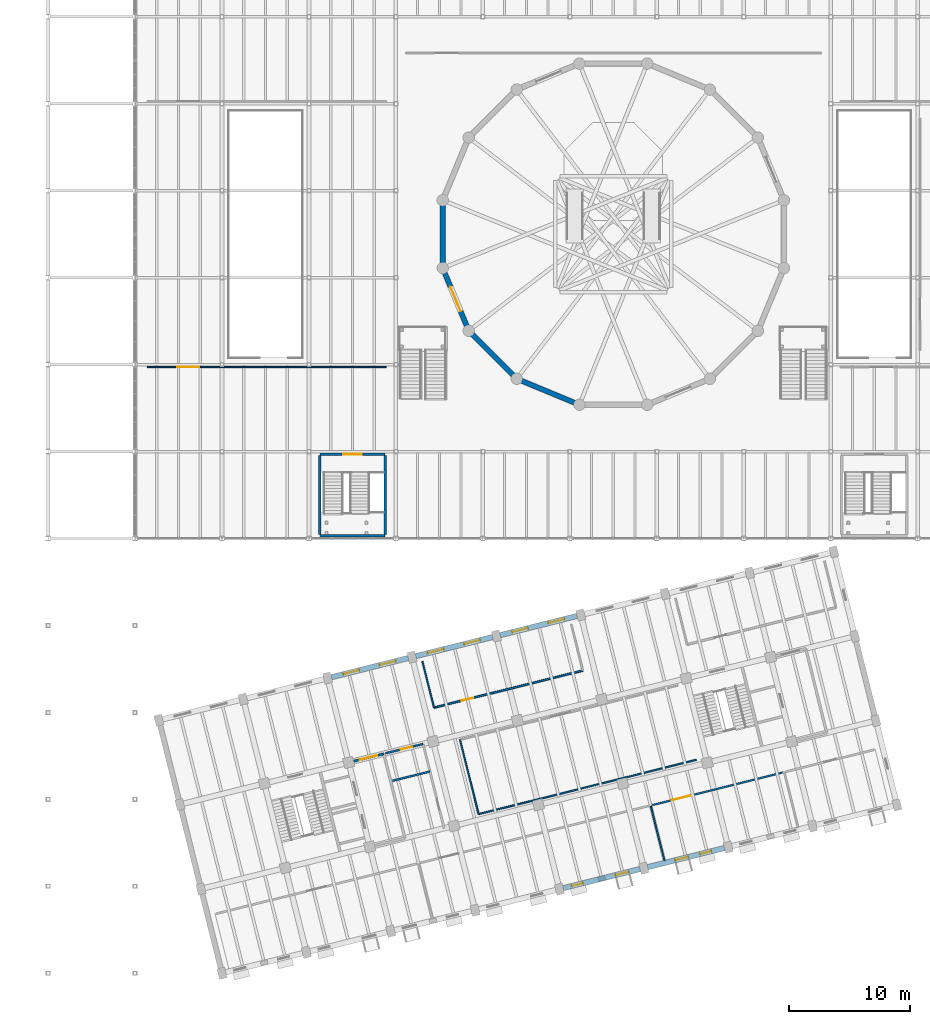
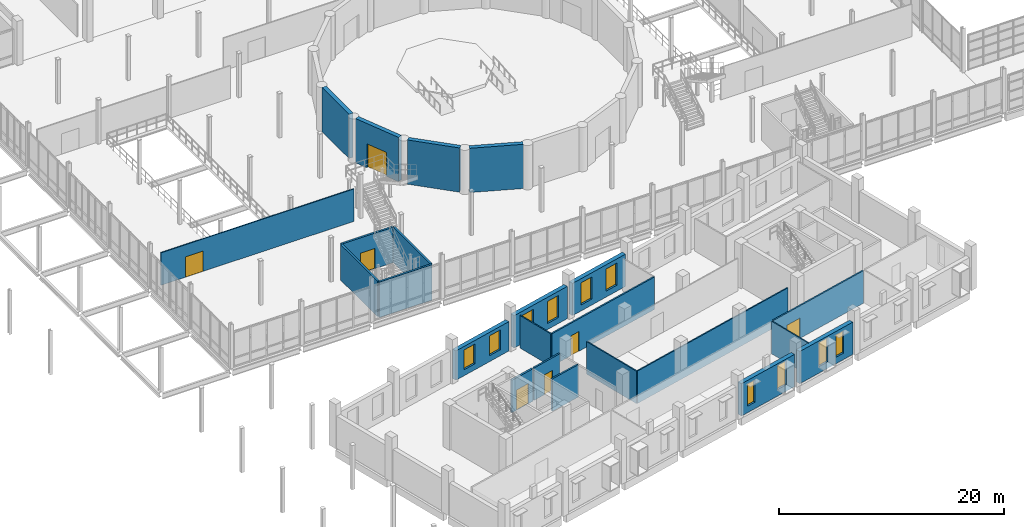
# One storey, part 62 of 77: 23 walls, 10 windows, 7 doors, 17 openings.
"""IFC4 building model written with IfcOpenShell, lengths in metres."""

from ifc_helpers import new_model, si_unit, direction, frame, frame_2d, origin, place, context, subcontext, project, spatial, rectangle, extrude, material, layer, layer_set, type_object, element, fill, save


model = new_model("IFC4")

# Units and contexts
model_context = context("Model", 3, precision=1e-05, world=origin(), true_north=direction((0.0, 1.0)))
body_context = subcontext(model_context, "Body", "Model", "MODEL_VIEW")
ifc_project = project(units=[si_unit("LENGTHUNIT", "METRE"), si_unit("AREAUNIT", "SQUARE_METRE"), si_unit("VOLUMEUNIT", "CUBIC_METRE"), si_unit("PLANEANGLEUNIT", "RADIAN"), si_unit("MASSUNIT", "GRAM", prefix="KILO")], contexts=[model_context])

# Site, building, storey
site_placement = place(None, origin())
site = spatial("IfcSite", under=ifc_project, at=site_placement, CompositionType="ELEMENT")
building_placement = place(site_placement, origin())
building = spatial("IfcBuilding", under=site, at=building_placement, Name="Qiaolan Assembly House", CompositionType="ELEMENT")
storey_placement = place(building_placement, frame((0.0, 0.0, 5.39990234375)))
storey = spatial("IfcBuildingStorey", under=building, at=storey_placement, Name="L01", CompositionType="ELEMENT", Elevation=5.39990234375)

# Wall
ifc_material_1 = material(Name="Concrete C50/60", Category="concrete")
ifc_layer_1 = layer(ifc_material_1, 0.419921875)
ifc_layer_set_1 = layer_set([ifc_layer_1], Name="Concrete C50/60")
wall_type_1 = type_object("IfcWallType", Name="WAL-DRUM-420", PredefinedType="SHEAR", material=ifc_layer_set_1)
wall_1_placement = place(storey_placement, frame((54.276611328125, 58.790771484375, 0.0), z_axis=(0.0, 0.0, 1.0), x_axis=(0.0, 1.0, 0.0)))
element("IfcWall", 1, at=wall_1_placement, inside=storey, type_object=wall_type_1, Name="DW-420 council chamber drum wall 8 L01", PredefinedType="SHEAR", context=body_context, shape_type="SweptSolid", body=[
    extrude(rectangle(XDim=4.818603515625, YDim=0.419921875, at=frame_2d((2.4091796875, 0.0))), origin(), (0.0, 0.0, 1.0), 4.800048828125),
])

# Wall, opening, door
wall_2_placement = place(storey_placement, frame((56.273681640625, 53.5693359375, 0.0), z_axis=(0.0, 0.0, 1.0), x_axis=(-0.382675461762, 0.923882834003, 0.0)))
wall_2 = element("IfcWall", 2, at=wall_2_placement, inside=storey, type_object=wall_type_1, Name="DW-420 council chamber drum wall 9 L01", PredefinedType="SHEAR", context=body_context, shape_type="SweptSolid", body=[
    extrude(rectangle(XDim=4.818603515625, YDim=0.419921875, at=frame_2d((2.4091796875, 0.0))), origin(), (0.0, 0.0, 1.0), 4.800048828125),
])
opening_1_placement = place(wall_2_placement, frame((1.35009765625, 0.0, 0.0)))
opening_1 = element("IfcOpeningElement", 3, at=opening_1_placement, cuts=wall_2, Name="Opening CD-149", PredefinedType="OPENING", context=body_context, shape_type="SweptSolid", body=[
    extrude(rectangle(XDim=2.199951171875, YDim=2.60009765625, at=frame_2d((1.10009765625, 1.300048828125))), frame((0.0, 0.219970703125, 0.0), z_axis=(0.0, -1.0, 0.0), x_axis=(1.0, 0.0, 0.0)), (0.0, 0.0, 1.0), 0.43994140625),
])
ifc_material_2 = material(Name="Acoustic oak panelling")
door_type_1 = type_object("IfcDoorType", Name="DOR-CHAMBER-2200", OperationType="DOUBLE_DOOR_SINGLE_SWING", PredefinedType="DOOR", material=ifc_material_2)
door_1_placement = place(opening_1_placement, origin())
door_1 = element("IfcDoor", 4, at=door_1_placement, inside=storey, type_object=door_type_1, Name="Council Chamber ceremonial acoustic door CD-149", OperationType="DOUBLE_DOOR_SINGLE_SWING", OverallHeight=2.60009765625, OverallWidth=2.199951171875, PredefinedType="DOOR", context=body_context, shape_type="SweptSolid", body=[
    extrude(rectangle(XDim=2.199951171875, YDim=2.60009765625, at=frame_2d((1.10009765625, 1.300048828125))), frame((0.0, 0.02490234375, 0.0), z_axis=(0.0, -1.0, 0.0), x_axis=(1.0, 0.0, 0.0)), (0.0, 0.0, 1.0), 0.050048828125),
])
fill(opening_1, door_1)

# Walls
for number, where, z_axis, x_axis, name in (
    (5, (60.116943359375, 49.509765625, 0.0), (0.0, 0.0, 1.0), (-0.707106781187, 0.707106781187, 0.0), "DW-420 council chamber drum wall 10 L01"),
    (6, (65.22119140625, 47.229736328125, 0.0), (0.0, 0.0, 1.0), (-0.923882834003, 0.382675461762, 0.0), "DW-420 council chamber drum wall 11 L01"),
):
    element("IfcWall", number, at=place(storey_placement, frame(where, z_axis=z_axis, x_axis=x_axis)), inside=storey, type_object=wall_type_1, Name=name, PredefinedType="SHEAR", context=body_context, shape_type="SweptSolid", body=[
        extrude(rectangle(XDim=4.818603515625, YDim=0.419921875, at=frame_2d((2.4091796875, 0.0))), origin(), (0.0, 0.0, 1.0), 4.800048828125),
    ])

# Wall, openings, windows
ifc_material_3 = material(Name="Honed pale limestone", Category="masonry")
ifc_layer_2 = layer(ifc_material_3, 0.43505859375)
ifc_layer_set_2 = layer_set([ifc_layer_2], Name="Honed pale limestone")
wall_type_2 = type_object("IfcWallType", Name="WAL-EXT-RUSTIC-420", PredefinedType="SOLIDWALL", material=ifc_layer_set_2)
wall_3_placement = place(storey_placement, frame((64.2578125, 7.04541015625, 0.0), z_axis=(0.0, 0.0, 1.0), x_axis=(0.970291317579, 0.24193957723, 0.0)))
wall_3 = element("IfcWall", 7, at=wall_3_placement, inside=storey, type_object=wall_type_2, Name="EW-420 SE South boulevard wall L01 bay 5", PredefinedType="SOLIDWALL", context=body_context, shape_type="SweptSolid", body=[
    extrude(rectangle(XDim=6.55419921875, YDim=0.43505859375, at=frame_2d((3.277099609375, 0.0))), origin(), (0.0, 0.0, 1.0), 3.5),
])
opening_2_placement = place(wall_3_placement, frame((0.72705078125, 0.0, 0.699951171875)))
opening_2 = element("IfcOpeningElement", 8, at=opening_2_placement, cuts=wall_3, Name="Opening WN-254", PredefinedType="OPENING", context=body_context, shape_type="SweptSolid", body=[
    extrude(rectangle(XDim=0.949951171875, YDim=2.39990234375, at=frame_2d((0.47509765625, 1.199951171875))), frame((0.0, 0.2275390625, 0.0), z_axis=(0.0, -1.0, 0.0), x_axis=(1.0, 0.0, 0.0)), (0.0, 0.0, 1.0), 0.455078125),
])
opening_3_placement = place(wall_3_placement, frame((4.47705078125, 0.0, 0.699951171875)))
opening_3 = element("IfcOpeningElement", 9, at=opening_3_placement, cuts=wall_3, Name="Opening WN-255", PredefinedType="OPENING", context=body_context, shape_type="SweptSolid", body=[
    extrude(rectangle(XDim=1.10009765625, YDim=2.60009765625, at=frame_2d((0.550048828125, 1.300048828125))), frame((0.0, 0.2275390625, 0.0), z_axis=(0.0, -1.0, 0.0), x_axis=(1.0, 0.0, 0.0)), (0.0, 0.0, 1.0), 0.455078125),
])
ifc_material_4 = material(Name="Low-E double insulating glass", Category="glass")
window_type_1 = type_object("IfcWindowType", Name="WIN-BOX-1100x2600", PartitioningType="SINGLE_PANEL", PredefinedType="WINDOW", material=ifc_material_4)
window_1_placement = place(opening_3_placement, origin())
window_1 = element("IfcWindow", 10, at=window_1_placement, inside=storey, type_object=window_type_1, Name="WN-T02 splayed window WN-255", OverallHeight=2.60009765625, OverallWidth=1.10009765625, PartitioningType="SINGLE_PANEL", PredefinedType="WINDOW", context=body_context, shape_type="SweptSolid", body=[
    extrude(rectangle(XDim=1.10009765625, YDim=2.60009765625, at=frame_2d((0.550048828125, 1.300048828125))), frame((0.0, 0.030029296875, 0.0), z_axis=(0.0, -1.0, 0.0), x_axis=(1.0, 0.0, 0.0)), (0.0, 0.0, 1.0), 0.06005859375),
])
fill(opening_3, window_1)
window_type_2 = type_object("IfcWindowType", Name="WIN-PUNCH-950x2400", PartitioningType="SINGLE_PANEL", PredefinedType="WINDOW", material=ifc_material_4)
window_2_placement = place(opening_2_placement, origin())
window_2 = element("IfcWindow", 11, at=window_2_placement, inside=storey, type_object=window_type_2, Name="WN-T06 splayed window WN-254", OverallHeight=2.39990234375, OverallWidth=0.949951171875, PartitioningType="SINGLE_PANEL", PredefinedType="WINDOW", context=body_context, shape_type="SweptSolid", body=[
    extrude(rectangle(XDim=0.949951171875, YDim=2.39990234375, at=frame_2d((0.47509765625, 1.199951171875))), frame((0.0, 0.030029296875, 0.0), z_axis=(0.0, -1.0, 0.0), x_axis=(1.0, 0.0, 0.0)), (0.0, 0.0, 1.0), 0.06005859375),
])
fill(opening_2, window_2)

wall_4_placement = place(storey_placement, frame((71.244140625, 8.787353515625, 0.0), z_axis=(0.0, 0.0, 1.0), x_axis=(0.970297881629, 0.241913250789, 0.0)))
wall_4 = element("IfcWall", 12, at=wall_4_placement, inside=storey, type_object=wall_type_2, Name="EW-420 SE South boulevard wall L01 bay 6", PredefinedType="SOLIDWALL", context=body_context, shape_type="SweptSolid", body=[
    extrude(rectangle(XDim=6.5537109375, YDim=0.43505859375, at=frame_2d((3.27685546875, 0.0))), origin(), (0.0, 0.0, 1.0), 3.5),
])
opening_4_placement = place(wall_4_placement, frame((2.362060546875, 0.0, 0.699951171875)))
opening_4 = element("IfcOpeningElement", 13, at=opening_4_placement, cuts=wall_4, Name="Opening WN-256", PredefinedType="OPENING", context=body_context, shape_type="SweptSolid", body=[
    extrude(rectangle(XDim=1.10009765625, YDim=2.60009765625, at=frame_2d((0.550048828125, 1.300048828125))), frame((0.0, 0.2275390625, 0.0), z_axis=(0.0, -1.0, 0.0), x_axis=(1.0, 0.0, 0.0)), (0.0, 0.0, 1.0), 0.455078125),
])
opening_5_placement = place(wall_4_placement, frame((4.47705078125, 0.0, 0.699951171875)))
opening_5 = element("IfcOpeningElement", 14, at=opening_5_placement, cuts=wall_4, Name="Opening WN-257", PredefinedType="OPENING", context=body_context, shape_type="SweptSolid", body=[
    extrude(rectangle(XDim=0.949951171875, YDim=2.39990234375, at=frame_2d((0.47509765625, 1.199951171875))), frame((0.0, 0.2275390625, 0.0), z_axis=(0.0, -1.0, 0.0), x_axis=(1.0, 0.0, 0.0)), (0.0, 0.0, 1.0), 0.455078125),
])
window_3_placement = place(opening_4_placement, origin())
window_3 = element("IfcWindow", 15, at=window_3_placement, inside=storey, type_object=window_type_1, Name="WN-T02 splayed window WN-256", OverallHeight=2.60009765625, OverallWidth=1.10009765625, PartitioningType="SINGLE_PANEL", PredefinedType="WINDOW", context=body_context, shape_type="SweptSolid", body=[
    extrude(rectangle(XDim=1.10009765625, YDim=2.60009765625, at=frame_2d((0.550048828125, 1.300048828125))), frame((0.0, 0.030029296875, 0.0), z_axis=(0.0, -1.0, 0.0), x_axis=(1.0, 0.0, 0.0)), (0.0, 0.0, 1.0), 0.06005859375),
])
fill(opening_4, window_3)
window_4_placement = place(opening_5_placement, origin())
window_4 = element("IfcWindow", 16, at=window_4_placement, inside=storey, type_object=window_type_2, Name="WN-T06 splayed window WN-257", OverallHeight=2.39990234375, OverallWidth=0.949951171875, PartitioningType="SINGLE_PANEL", PredefinedType="WINDOW", context=body_context, shape_type="SweptSolid", body=[
    extrude(rectangle(XDim=0.949951171875, YDim=2.39990234375, at=frame_2d((0.47509765625, 1.199951171875))), frame((0.0, 0.030029296875, 0.0), z_axis=(0.0, -1.0, 0.0), x_axis=(1.0, 0.0, 0.0)), (0.0, 0.0, 1.0), 0.06005859375),
])
fill(opening_5, window_4)

wall_5_placement = place(storey_placement, frame((51.41943359375, 26.105712890625, 0.0), z_axis=(0.0, 0.0, 1.0), x_axis=(-0.970300061562, -0.241904507055, 0.0)))
wall_5 = element("IfcWall", 17, at=wall_5_placement, inside=storey, type_object=wall_type_2, Name="EW-420 SE North court wall L01 bay 3", PredefinedType="SOLIDWALL", context=body_context, shape_type="SweptSolid", body=[
    extrude(rectangle(XDim=6.553955078125, YDim=0.43505859375, at=frame_2d((3.27685546875, 0.0))), origin(), (0.0, 0.0, 1.0), 3.18017578125),
])
opening_6_placement = place(wall_5_placement, frame((1.076904296875, 0.0, 0.64990234375)))
opening_6 = element("IfcOpeningElement", 18, at=opening_6_placement, cuts=wall_5, Name="Opening WN-266", PredefinedType="OPENING", context=body_context, shape_type="SweptSolid", body=[
    extrude(rectangle(XDim=1.35009765625, YDim=2.14990234375, at=frame_2d((0.675048828125, 1.074951171875))), frame((0.0, 0.2275390625, 0.0), z_axis=(0.0, -1.0, 0.0), x_axis=(1.0, 0.0, 0.0)), (0.0, 0.0, 1.0), 0.455078125),
])
opening_7_placement = place(wall_5_placement, frame((4.177001953125, 0.0, 0.64990234375)))
opening_7 = element("IfcOpeningElement", 19, at=opening_7_placement, cuts=wall_5, Name="Opening WN-267", PredefinedType="OPENING", context=body_context, shape_type="SweptSolid", body=[
    extrude(rectangle(XDim=1.35009765625, YDim=2.14990234375, at=frame_2d((0.675048828125, 1.074951171875))), frame((0.0, 0.2275390625, 0.0), z_axis=(0.0, -1.0, 0.0), x_axis=(1.0, 0.0, 0.0)), (0.0, 0.0, 1.0), 0.455078125),
])
window_type_3 = type_object("IfcWindowType", Name="WIN-COURT-1350x2150", PartitioningType="DOUBLE_PANEL_VERTICAL", PredefinedType="WINDOW", material=ifc_material_4)
window_5_placement = place(opening_6_placement, origin())
window_5 = element("IfcWindow", 20, at=window_5_placement, inside=storey, type_object=window_type_3, Name="SE court window WN-266", OverallHeight=2.14990234375, OverallWidth=1.35009765625, PartitioningType="DOUBLE_PANEL_VERTICAL", PredefinedType="WINDOW", context=body_context, shape_type="SweptSolid", body=[
    extrude(rectangle(XDim=1.35009765625, YDim=2.14990234375, at=frame_2d((0.675048828125, 1.074951171875))), frame((0.0, 0.030029296875, 0.0), z_axis=(0.0, -1.0, 0.0), x_axis=(1.0, 0.0, 0.0)), (0.0, 0.0, 1.0), 0.06005859375),
])
fill(opening_6, window_5)
window_6_placement = place(opening_7_placement, origin())
window_6 = element("IfcWindow", 21, at=window_6_placement, inside=storey, type_object=window_type_3, Name="SE court window WN-267", OverallHeight=2.14990234375, OverallWidth=1.35009765625, PartitioningType="DOUBLE_PANEL_VERTICAL", PredefinedType="WINDOW", context=body_context, shape_type="SweptSolid", body=[
    extrude(rectangle(XDim=1.35009765625, YDim=2.14990234375, at=frame_2d((0.675048828125, 1.074951171875))), frame((0.0, 0.030029296875, 0.0), z_axis=(0.0, -1.0, 0.0), x_axis=(1.0, 0.0, 0.0)), (0.0, 0.0, 1.0), 0.06005859375),
])
fill(opening_7, window_6)

wall_6_placement = place(storey_placement, frame((58.405517578125, 27.84765625, 0.0), z_axis=(0.0, 0.0, 1.0), x_axis=(-0.970289137034, -0.241948322073, 0.0)))
wall_6 = element("IfcWall", 22, at=wall_6_placement, inside=storey, type_object=wall_type_2, Name="EW-420 SE North court wall L01 bay 4", PredefinedType="SOLIDWALL", context=body_context, shape_type="SweptSolid", body=[
    extrude(rectangle(XDim=6.553955078125, YDim=0.43505859375, at=frame_2d((3.27685546875, 0.0))), origin(), (0.0, 0.0, 1.0), 3.5),
])
opening_8_placement = place(wall_6_placement, frame((1.076904296875, 0.0, 0.64990234375)))
opening_8 = element("IfcOpeningElement", 23, at=opening_8_placement, cuts=wall_6, Name="Opening WN-268", PredefinedType="OPENING", context=body_context, shape_type="SweptSolid", body=[
    extrude(rectangle(XDim=1.35009765625, YDim=2.39990234375, at=frame_2d((0.675048828125, 1.199951171875))), frame((0.0, 0.2275390625, 0.0), z_axis=(0.0, -1.0, 0.0), x_axis=(1.0, 0.0, 0.0)), (0.0, 0.0, 1.0), 0.455078125),
])
opening_9_placement = place(wall_6_placement, frame((4.177001953125, 0.0, 0.64990234375)))
opening_9 = element("IfcOpeningElement", 24, at=opening_9_placement, cuts=wall_6, Name="Opening WN-269", PredefinedType="OPENING", context=body_context, shape_type="SweptSolid", body=[
    extrude(rectangle(XDim=1.35009765625, YDim=2.39990234375, at=frame_2d((0.675048828125, 1.199951171875))), frame((0.0, 0.2275390625, 0.0), z_axis=(0.0, -1.0, 0.0), x_axis=(1.0, 0.0, 0.0)), (0.0, 0.0, 1.0), 0.455078125),
])
window_type_4 = type_object("IfcWindowType", Name="WIN-COURT-1350x2400", PartitioningType="DOUBLE_PANEL_VERTICAL", PredefinedType="WINDOW", material=ifc_material_4)
window_7_placement = place(opening_8_placement, origin())
window_7 = element("IfcWindow", 25, at=window_7_placement, inside=storey, type_object=window_type_4, Name="SE court window WN-268", OverallHeight=2.39990234375, OverallWidth=1.35009765625, PartitioningType="DOUBLE_PANEL_VERTICAL", PredefinedType="WINDOW", context=body_context, shape_type="SweptSolid", body=[
    extrude(rectangle(XDim=1.35009765625, YDim=2.39990234375, at=frame_2d((0.675048828125, 1.199951171875))), frame((0.0, 0.030029296875, 0.0), z_axis=(0.0, -1.0, 0.0), x_axis=(1.0, 0.0, 0.0)), (0.0, 0.0, 1.0), 0.06005859375),
])
fill(opening_8, window_7)
window_8_placement = place(opening_9_placement, origin())
window_8 = element("IfcWindow", 26, at=window_8_placement, inside=storey, type_object=window_type_4, Name="SE court window WN-269", OverallHeight=2.39990234375, OverallWidth=1.35009765625, PartitioningType="DOUBLE_PANEL_VERTICAL", PredefinedType="WINDOW", context=body_context, shape_type="SweptSolid", body=[
    extrude(rectangle(XDim=1.35009765625, YDim=2.39990234375, at=frame_2d((0.675048828125, 1.199951171875))), frame((0.0, 0.030029296875, 0.0), z_axis=(0.0, -1.0, 0.0), x_axis=(1.0, 0.0, 0.0)), (0.0, 0.0, 1.0), 0.06005859375),
])
fill(opening_9, window_8)

wall_7_placement = place(storey_placement, frame((65.391845703125, 29.58935546875, 0.0), z_axis=(0.0, 0.0, 1.0), x_axis=(-0.970300061562, -0.241904507055, 0.0)))
wall_7 = element("IfcWall", 27, at=wall_7_placement, inside=storey, type_object=wall_type_2, Name="EW-420 SE North court wall L01 bay 5", PredefinedType="SOLIDWALL", context=body_context, shape_type="SweptSolid", body=[
    extrude(rectangle(XDim=6.553955078125, YDim=0.43505859375, at=frame_2d((3.27685546875, 0.0))), origin(), (0.0, 0.0, 1.0), 3.5),
])
opening_10_placement = place(wall_7_placement, frame((1.076904296875, 0.0, 0.64990234375)))
opening_10 = element("IfcOpeningElement", 28, at=opening_10_placement, cuts=wall_7, Name="Opening WN-270", PredefinedType="OPENING", context=body_context, shape_type="SweptSolid", body=[
    extrude(rectangle(XDim=1.35009765625, YDim=2.39990234375, at=frame_2d((0.675048828125, 1.199951171875))), frame((0.0, 0.2275390625, 0.0), z_axis=(0.0, -1.0, 0.0), x_axis=(1.0, 0.0, 0.0)), (0.0, 0.0, 1.0), 0.455078125),
])
opening_11_placement = place(wall_7_placement, frame((4.177001953125, 0.0, 0.64990234375)))
opening_11 = element("IfcOpeningElement", 29, at=opening_11_placement, cuts=wall_7, Name="Opening WN-271", PredefinedType="OPENING", context=body_context, shape_type="SweptSolid", body=[
    extrude(rectangle(XDim=1.35009765625, YDim=2.39990234375, at=frame_2d((0.675048828125, 1.199951171875))), frame((0.0, 0.2275390625, 0.0), z_axis=(0.0, -1.0, 0.0), x_axis=(1.0, 0.0, 0.0)), (0.0, 0.0, 1.0), 0.455078125),
])
window_9_placement = place(opening_10_placement, origin())
window_9 = element("IfcWindow", 30, at=window_9_placement, inside=storey, type_object=window_type_4, Name="SE court window WN-270", OverallHeight=2.39990234375, OverallWidth=1.35009765625, PartitioningType="DOUBLE_PANEL_VERTICAL", PredefinedType="WINDOW", context=body_context, shape_type="SweptSolid", body=[
    extrude(rectangle(XDim=1.35009765625, YDim=2.39990234375, at=frame_2d((0.675048828125, 1.199951171875))), frame((0.0, 0.030029296875, 0.0), z_axis=(0.0, -1.0, 0.0), x_axis=(1.0, 0.0, 0.0)), (0.0, 0.0, 1.0), 0.06005859375),
])
fill(opening_10, window_9)
window_10_placement = place(opening_11_placement, origin())
window_10 = element("IfcWindow", 31, at=window_10_placement, inside=storey, type_object=window_type_4, Name="SE court window WN-271", OverallHeight=2.39990234375, OverallWidth=1.35009765625, PartitioningType="DOUBLE_PANEL_VERTICAL", PredefinedType="WINDOW", context=body_context, shape_type="SweptSolid", body=[
    extrude(rectangle(XDim=1.35009765625, YDim=2.39990234375, at=frame_2d((0.675048828125, 1.199951171875))), frame((0.0, 0.030029296875, 0.0), z_axis=(0.0, -1.0, 0.0), x_axis=(1.0, 0.0, 0.0)), (0.0, 0.0, 1.0), 0.06005859375),
])
fill(opening_11, window_10)

# Wall, opening, door
ifc_material_5 = material(Name="Concrete C35/45", Category="concrete")
ifc_layer_3 = layer(ifc_material_5, 0.199951171875)
ifc_layer_set_3 = layer_set([ifc_layer_3], Name="Concrete C35/45")
wall_type_3 = type_object("IfcWallType", Name="WAL-LOBBY-200", PredefinedType="PARTITIONING", material=ifc_layer_set_3)
wall_8_placement = place(storey_placement, frame((44.10009765625, 42.97998046875, 0.0), z_axis=(0.0, 0.0, 1.0), x_axis=(1.0, 0.0, 0.0)))
wall_8 = element("IfcWall", 32, at=wall_8_placement, inside=storey, type_object=wall_type_3, Name="LW-200 foyer stairwell north wall F1 L01", PredefinedType="PARTITIONING", context=body_context, shape_type="SweptSolid", body=[
    extrude(rectangle(XDim=5.39990234375, YDim=0.199951171875, at=frame_2d((2.699951171875, 0.0))), origin(), (0.0, 0.0, 1.0), 3.85009765625),
])
opening_12_placement = place(wall_8_placement, frame((1.949951171875, 0.0, 0.0)))
opening_12 = element("IfcOpeningElement", 33, at=opening_12_placement, cuts=wall_8, Name="Opening FD-911", PredefinedType="OPENING", context=body_context, shape_type="SweptSolid", body=[
    extrude(rectangle(XDim=1.5, YDim=2.199951171875, at=frame_2d((0.75, 1.10009765625))), frame((0.0, 0.10986328125, 0.0), z_axis=(0.0, -1.0, 0.0), x_axis=(1.0, 0.0, 0.0)), (0.0, 0.0, 1.0), 0.219970703125),
])
door_type_2 = type_object("IfcDoorType", Name="DOR-LOBBY-FD60-1500", OperationType="DOUBLE_DOOR_SINGLE_SWING", PredefinedType="DOOR", material=ifc_material_2)
door_2_placement = place(opening_12_placement, origin())
door_2 = element("IfcDoor", 34, at=door_2_placement, inside=storey, type_object=door_type_2, Name="Foyer stairwell fire door FD-911", OperationType="DOUBLE_DOOR_SINGLE_SWING", OverallHeight=2.199951171875, OverallWidth=1.5, PredefinedType="DOOR", context=body_context, shape_type="SweptSolid", body=[
    extrude(rectangle(XDim=1.5, YDim=2.199951171875, at=frame_2d((0.75, 1.10009765625))), frame((0.0, 0.02490234375, 0.0), z_axis=(0.0, -1.0, 0.0), x_axis=(1.0, 0.0, 0.0)), (0.0, 0.0, 1.0), 0.050048828125),
])
fill(opening_12, door_2)

# Walls
wall_9_placement = place(storey_placement, frame((49.5, 36.219970703125, 0.0), z_axis=(0.0, 0.0, 1.0), x_axis=(-1.0, 0.0, 0.0)))
element("IfcWall", 35, at=wall_9_placement, inside=storey, type_object=wall_type_3, Name="LW-200 foyer stairwell south wall F1 L01", PredefinedType="PARTITIONING", context=body_context, shape_type="SweptSolid", body=[
    extrude(rectangle(XDim=5.39990234375, YDim=0.199951171875, at=frame_2d((2.699951171875, 0.0))), origin(), (0.0, 0.0, 1.0), 3.85009765625),
])
for number, where, z_axis, x_axis, name in (
    (36, (44.10009765625, 42.8798828125, 0.0), (0.0, 0.0, 1.0), (0.0, -1.0, 0.0), "LW-200 foyer stairwell west wall F1 L01"),
    (37, (49.5, 36.320068359375, 0.0), (0.0, 0.0, 1.0), (0.0, 1.0, 0.0), "LW-200 foyer stairwell east wall F1 L01"),
):
    element("IfcWall", number, at=place(storey_placement, frame(where, z_axis=z_axis, x_axis=x_axis)), inside=storey, type_object=wall_type_3, Name=name, PredefinedType="PARTITIONING", context=body_context, shape_type="SweptSolid", body=[
        extrude(rectangle(XDim=6.559814453125, YDim=0.199951171875, at=frame_2d((3.27978515625, 0.0))), origin(), (0.0, 0.0, 1.0), 3.85009765625),
    ])

# Wall, opening, door
wall_10_placement = place(storey_placement, frame((49.3994140625, 18.181640625, 0.0), z_axis=(0.0, 0.0, 1.0), x_axis=(-0.970309259708, -0.2418676095, 0.0)))
wall_10 = element("IfcWall", 38, at=wall_10_placement, inside=storey, type_object=wall_type_3, Name="Firefighting lift lobby north wall CORE-C L01", PredefinedType="PARTITIONING", context=body_context, shape_type="SweptSolid", body=[
    extrude(rectangle(XDim=2.580078125, YDim=0.199951171875, at=frame_2d((1.2900390625, 0.0))), origin(), (0.0, 0.0, 1.0), 3.52001953125),
])
opening_13_placement = place(wall_10_placement, frame((0.550048828125, 0.0, 0.0)))
opening_13 = element("IfcOpeningElement", 39, at=opening_13_placement, cuts=wall_10, Name="Opening FD-076", PredefinedType="OPENING", context=body_context, shape_type="SweptSolid", body=[
    extrude(rectangle(XDim=1.5, YDim=2.199951171875, at=frame_2d((0.75, 1.10009765625))), frame((0.0, 0.10986328125, 0.0), z_axis=(0.0, -1.0, 0.0), x_axis=(1.0, 0.0, 0.0)), (0.0, 0.0, 1.0), 0.219970703125),
])
door_3_placement = place(opening_13_placement, frame((1.5, 0.0, 0.0), z_axis=(0.0, 0.0, 1.0), x_axis=(-1.0, 0.0, 0.0)))
door_3 = element("IfcDoor", 40, at=door_3_placement, inside=storey, type_object=door_type_2, Name="Lobby corridor fire door FD-076", OperationType="DOUBLE_DOOR_SINGLE_SWING", OverallHeight=2.199951171875, OverallWidth=1.5, PredefinedType="DOOR", context=body_context, shape_type="SweptSolid", body=[
    extrude(rectangle(XDim=1.5, YDim=2.199951171875, at=frame_2d((0.75, 1.10009765625))), frame((0.0, 0.02490234375, 0.0), z_axis=(0.0, -1.0, 0.0), x_axis=(1.0, 0.0, 0.0)), (0.0, 0.0, 1.0), 0.050048828125),
])
fill(opening_13, door_3)

# Walls
ifc_material_6 = material(Name="Gypsum plasterboard partition")
ifc_layer_4 = layer(ifc_material_6, 0.1201171875)
ifc_layer_set_4 = layer_set([ifc_layer_4], Name="Gypsum plasterboard partition")
wall_type_4 = type_object("IfcWallType", Name="WAL-PART-120", PredefinedType="PARTITIONING", material=ifc_layer_set_4)
wall_11_placement = place(storey_placement, frame((72.633544921875, 9.3193359375, 0.0), z_axis=(0.0, 0.0, 1.0), x_axis=(-0.241895920765, 0.97030220216, 0.0)))
element("IfcWall", 41, at=wall_11_placement, inside=storey, type_object=wall_type_4, Name="Public Mediation & Hearing Room 1 demising wall", PredefinedType="PARTITIONING", context=body_context, shape_type="SweptSolid", body=[
    extrude(rectangle(XDim=4.669921875, YDim=0.1201171875, at=frame_2d((2.3349609375, 0.0))), origin(), (0.0, 0.0, 1.0), 3.52001953125),
])
wall_12_placement = place(storey_placement, frame((57.242431640625, 13.180419921875, 0.0), z_axis=(0.0, 0.0, 1.0), x_axis=(0.970295185925, 0.24192406282, 0.0)))
element("IfcWall", 42, at=wall_12_placement, inside=storey, type_object=wall_type_4, Name="Property Title & Cadastre Counter Hall south partition", PredefinedType="PARTITIONING", context=body_context, shape_type="SweptSolid", body=[
    extrude(rectangle(XDim=18.599853515625, YDim=0.1201171875, at=frame_2d((9.2998046875, 0.0))), origin(), (0.0, 0.0, 1.0), 3.52001953125),
])
wall_13_placement = place(storey_placement, frame((57.242431640625, 13.180419921875, 0.0), z_axis=(0.0, 0.0, 1.0), x_axis=(-0.241947566099, 0.970289325541, 0.0)))
element("IfcWall", 43, at=wall_13_placement, inside=storey, type_object=wall_type_4, Name="Property Title & Cadastre Counter Hall west partition", PredefinedType="PARTITIONING", context=body_context, shape_type="SweptSolid", body=[
    extrude(rectangle(XDim=6.35009765625, YDim=0.1201171875, at=frame_2d((3.175048828125, 0.0))), origin(), (0.0, 0.0, 1.0), 3.52001953125),
])
wall_14_placement = place(storey_placement, frame((53.54931640625, 21.9990234375, 0.0), z_axis=(0.0, 0.0, 1.0), x_axis=(-0.241910239337, 0.970298632434, 0.0)))
element("IfcWall", 44, at=wall_14_placement, inside=storey, type_object=wall_type_4, Name="Court Outlook Consultation Suite L01 west wall", PredefinedType="PARTITIONING", context=body_context, shape_type="SweptSolid", body=[
    extrude(rectangle(XDim=3.9501953125, YDim=0.1201171875, at=frame_2d((1.97509765625, 0.0))), origin(), (0.0, 0.0, 1.0), 3.52001953125),
])

# Wall, opening, door
ifc_layer_5 = layer(ifc_material_6, 0.14990234375)
ifc_layer_set_5 = layer_set([ifc_layer_5], Name="Gypsum plasterboard partition")
wall_type_5 = type_object("IfcWallType", Name="WAL-PART-150", PredefinedType="PARTITIONING", material=ifc_layer_set_5)
wall_15_placement = place(storey_placement, frame((71.63720703125, 13.935302734375, 0.0), z_axis=(0.0, 0.0, 1.0), x_axis=(0.970296267585, 0.241919724519, 0.0)))
wall_15 = element("IfcWall", 45, at=wall_15_placement, inside=storey, type_object=wall_type_5, Name="Public Mediation & Hearing Room 1 north wall", PredefinedType="PARTITIONING", context=body_context, shape_type="SweptSolid", body=[
    extrude(rectangle(XDim=11.099853515625, YDim=0.14990234375, at=frame_2d((5.5498046875, 0.0))), origin(), (0.0, 0.0, 1.0), 3.52001953125),
])
opening_14_placement = place(wall_15_placement, frame((1.64990234375, 0.0, 0.0)))
opening_14 = element("IfcOpeningElement", 46, at=opening_14_placement, cuts=wall_15, Name="Opening SD-243", PredefinedType="OPENING", context=body_context, shape_type="SweptSolid", body=[
    extrude(rectangle(XDim=1.60009765625, YDim=2.199951171875, at=frame_2d((0.800048828125, 1.10009765625))), frame((0.0, 0.0849609375, 0.0), z_axis=(0.0, -1.0, 0.0), x_axis=(1.0, 0.0, 0.0)), (0.0, 0.0, 1.0), 0.169921875),
])
door_type_3 = type_object("IfcDoorType", Name="DOR-COMM-DBL-1600", OperationType="DOUBLE_DOOR_SINGLE_SWING", PredefinedType="DOOR", material=ifc_material_2)
door_4_placement = place(opening_14_placement, origin())
door_4 = element("IfcDoor", 47, at=door_4_placement, inside=storey, type_object=door_type_3, Name="Public Mediation & Hearing Room 1 door SD-243", OperationType="DOUBLE_DOOR_SINGLE_SWING", OverallHeight=2.199951171875, OverallWidth=1.60009765625, PredefinedType="DOOR", context=body_context, shape_type="SweptSolid", body=[
    extrude(rectangle(XDim=1.60009765625, YDim=2.199951171875, at=frame_2d((0.800048828125, 1.10009765625))), frame((0.0, 0.02490234375, 0.0), z_axis=(0.0, -1.0, 0.0), x_axis=(1.0, 0.0, 0.0)), (0.0, 0.0, 1.0), 0.050048828125),
])
fill(opening_14, door_4)

wall_16_placement = place(storey_placement, frame((53.54931640625, 21.9990234375, 0.0), z_axis=(0.0, 0.0, 1.0), x_axis=(0.970293838297, 0.241929467745, 0.0)))
wall_16 = element("IfcWall", 48, at=wall_16_placement, inside=storey, type_object=wall_type_5, Name="Court Outlook Consultation Suite L01 south wall", PredefinedType="PARTITIONING", context=body_context, shape_type="SweptSolid", body=[
    extrude(rectangle(XDim=12.699951171875, YDim=0.14990234375, at=frame_2d((6.35009765625, 0.0))), origin(), (0.0, 0.0, 1.0), 3.52001953125),
])
opening_15_placement = place(wall_16_placement, frame((2.35009765625, 0.0, 0.0)))
opening_15 = element("IfcOpeningElement", 49, at=opening_15_placement, cuts=wall_16, Name="Opening SD-246", PredefinedType="OPENING", context=body_context, shape_type="SweptSolid", body=[
    extrude(rectangle(XDim=1.0, YDim=2.14990234375, at=frame_2d((0.5, 1.074951171875))), frame((0.0, 0.0849609375, 0.0), z_axis=(0.0, -1.0, 0.0), x_axis=(1.0, 0.0, 0.0)), (0.0, 0.0, 1.0), 0.169921875),
])
door_type_4 = type_object("IfcDoorType", Name="DOR-OFF-SGL-1000", OperationType="NOTDEFINED", PredefinedType="DOOR", material=ifc_material_2)
door_5_placement = place(opening_15_placement, origin())
door_5 = element("IfcDoor", 50, at=door_5_placement, inside=storey, type_object=door_type_4, Name="Court Outlook Consultation Suite L01 door SD-246", OperationType="SINGLE_SWING_LEFT", OverallHeight=2.14990234375, OverallWidth=1.0, PredefinedType="DOOR", context=body_context, shape_type="SweptSolid", body=[
    extrude(rectangle(XDim=1.0, YDim=2.14990234375, at=frame_2d((0.5, 1.074951171875))), frame((0.0, 0.02490234375, 0.0), z_axis=(0.0, -1.0, 0.0), x_axis=(1.0, 0.0, 0.0)), (0.0, 0.0, 1.0), 0.050048828125),
])
fill(opening_15, door_5)

ifc_layer_6 = layer(ifc_material_4, 0.10498046875)
ifc_layer_set_6 = layer_set([ifc_layer_6], Name="Low-E double insulating glass")
wall_type_6 = type_object("IfcWallType", Name="WAL-PART-GLAZED-120", PredefinedType="PARTITIONING", material=ifc_layer_set_6)
wall_17_placement = place(storey_placement, frame((29.800048828125, 50.199951171875, 0.0), z_axis=(0.0, 0.0, 1.0), x_axis=(1.0, 0.0, 0.0)))
wall_17 = element("IfcWall", 51, at=wall_17_placement, inside=storey, type_object=wall_type_6, Name="West Delegate Caucus & Briefing Hall glazed partition", PredefinedType="PARTITIONING", context=body_context, shape_type="SweptSolid", body=[
    extrude(rectangle(XDim=19.800048828125, YDim=0.10498046875, at=frame_2d((9.89990234375, 0.0))), origin(), (0.0, 0.0, 1.0), 3.52001953125),
])
opening_16_placement = place(wall_17_placement, frame((2.5, 0.0, 0.0)))
opening_16 = element("IfcOpeningElement", 52, at=opening_16_placement, cuts=wall_17, Name="Opening GD-161", PredefinedType="OPENING", context=body_context, shape_type="SweptSolid", body=[
    extrude(rectangle(XDim=1.800048828125, YDim=2.199951171875, at=frame_2d((0.89990234375, 1.10009765625))), frame((0.0, 0.0625, 0.0), z_axis=(0.0, -1.0, 0.0), x_axis=(1.0, 0.0, 0.0)), (0.0, 0.0, 1.0), 0.125),
])
ifc_material_7 = material(Name="Anodised bronze aluminium", Category="aluminium")
door_type_5 = type_object("IfcDoorType", Name="DOR-CORR-DBL-1800", OperationType="DOUBLE_DOOR_SINGLE_SWING", PredefinedType="DOOR", material=ifc_material_7)
door_6_placement = place(opening_16_placement, origin())
door_6 = element("IfcDoor", 53, at=door_6_placement, inside=storey, type_object=door_type_5, Name="West Delegate Caucus & Briefing Hall door GD-161", OperationType="DOUBLE_DOOR_SINGLE_SWING", OverallHeight=2.199951171875, OverallWidth=1.800048828125, PredefinedType="DOOR", context=body_context, shape_type="SweptSolid", body=[
    extrude(rectangle(XDim=1.800048828125, YDim=2.199951171875, at=frame_2d((0.89990234375, 1.10009765625))), frame((0.0, 0.02490234375, 0.0), z_axis=(0.0, -1.0, 0.0), x_axis=(1.0, 0.0, 0.0)), (0.0, 0.0, 1.0), 0.050048828125),
])
fill(opening_16, door_6)

ifc_material_8 = material(Name="Concrete C30/37", Category="concrete")
ifc_layer_7 = layer(ifc_material_8, 0.1650390625)
ifc_layer_set_7 = layer_set([ifc_layer_7], Name="Concrete C30/37")
wall_type_7 = type_object("IfcWallType", Name="WAL-WET-150", PredefinedType="PARTITIONING", material=ifc_layer_set_7)
wall_18_placement = place(storey_placement, frame((52.64990234375, 18.9921875, 0.0), z_axis=(0.0, 0.0, 1.0), x_axis=(-0.970294894235, -0.241925232711, 0.0)))
wall_18 = element("IfcWall", 54, at=wall_18_placement, inside=storey, type_object=wall_type_7, Name="Accessible WC corridor wall CORE-C L01", PredefinedType="PARTITIONING", context=body_context, shape_type="SweptSolid", body=[
    extrude(rectangle(XDim=3.199951171875, YDim=0.1650390625, at=frame_2d((1.60009765625, 0.0))), origin(), (0.0, 0.0, 1.0), 3.52001953125),
])
opening_17_placement = place(wall_18_placement, frame((0.949951171875, 0.0, 0.0)))
opening_17 = element("IfcOpeningElement", 55, at=opening_17_placement, cuts=wall_18, Name="Opening AD-078", PredefinedType="OPENING", context=body_context, shape_type="SweptSolid", body=[
    extrude(rectangle(XDim=0.949951171875, YDim=2.14990234375, at=frame_2d((0.47509765625, 1.074951171875))), frame((0.0, 0.092529296875, 0.0), z_axis=(0.0, -1.0, 0.0), x_axis=(1.0, 0.0, 0.0)), (0.0, 0.0, 1.0), 0.18505859375),
])
door_type_6 = type_object("IfcDoorType", Name="DOR-ACC-WC-950", OperationType="NOTDEFINED", PredefinedType="DOOR", material=ifc_material_2)
door_7_placement = place(opening_17_placement, origin())
door_7 = element("IfcDoor", 56, at=door_7_placement, inside=storey, type_object=door_type_6, Name="Accessible Restroom door AD-078", OperationType="SINGLE_SWING_RIGHT", OverallHeight=2.14990234375, OverallWidth=0.949951171875, PredefinedType="DOOR", context=body_context, shape_type="SweptSolid", body=[
    extrude(rectangle(XDim=0.949951171875, YDim=2.14990234375, at=frame_2d((0.47509765625, 1.074951171875))), frame((0.0, 0.02490234375, 0.0), z_axis=(0.0, -1.0, 0.0), x_axis=(1.0, 0.0, 0.0)), (0.0, 0.0, 1.0), 0.050048828125),
])
fill(opening_17, door_7)

# Wall
wall_19_placement = place(storey_placement, frame((50.113525390625, 15.937744140625, 0.0), z_axis=(0.0, 0.0, 1.0), x_axis=(0.970294894235, 0.241925232711, 0.0)))
element("IfcWall", 57, at=wall_19_placement, inside=storey, type_object=wall_type_7, Name="WC divider wall CORE-C L01", PredefinedType="PARTITIONING", context=body_context, shape_type="SweptSolid", body=[
    extrude(rectangle(XDim=3.199951171875, YDim=0.1650390625, at=frame_2d((1.60009765625, 0.0))), origin(), (0.0, 0.0, 1.0), 3.52001953125),
])

save(model, "model.ifc")
